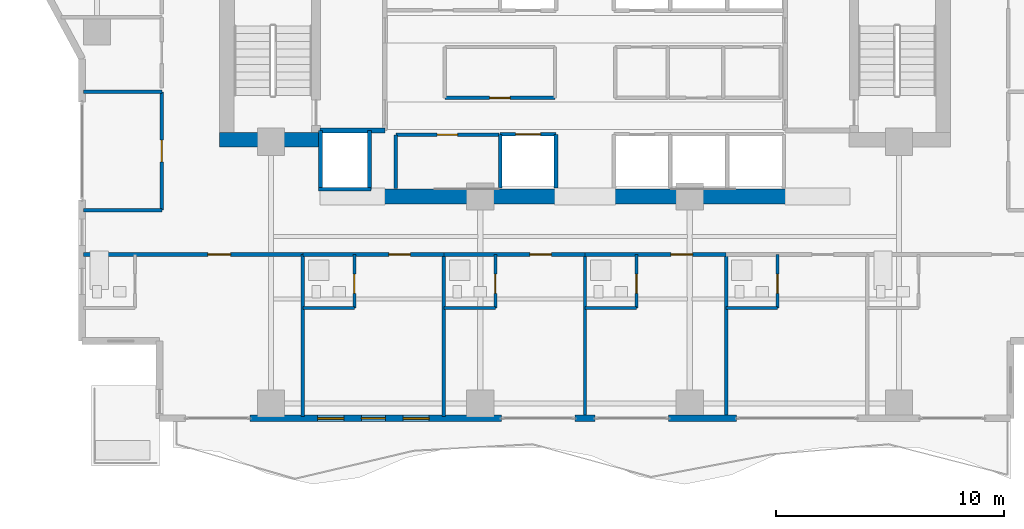
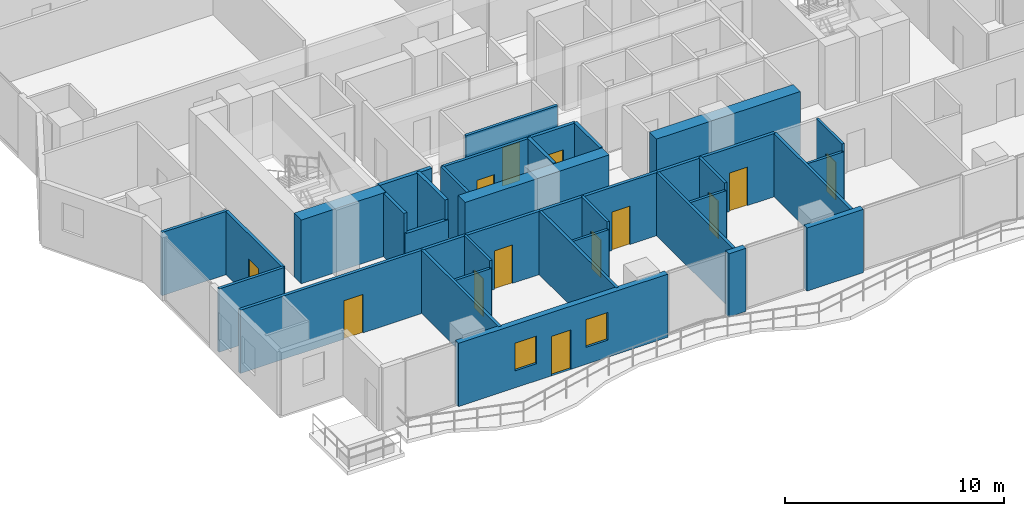
# One storey, part 24 of 32: 35 walls, 13 doors, 2 windows, 15 openings.
"""IFC4 building model written with IfcOpenShell, lengths in metres."""

from ifc_helpers import new_model, si_unit, direction, frame, frame_2d, origin, place, context, subcontext, project, spatial, rectangle, extrude, material, layer, layer_set, type_object, element, fill, save


model = new_model("IFC4")

# Units and contexts
model_context = context("Model", 3, precision=1e-05, world=origin(), true_north=direction((0.0, 1.0)))
body_context = subcontext(model_context, "Body", "Model", "MODEL_VIEW")
ifc_project = project(units=[si_unit("LENGTHUNIT", "METRE"), si_unit("AREAUNIT", "SQUARE_METRE"), si_unit("VOLUMEUNIT", "CUBIC_METRE"), si_unit("PLANEANGLEUNIT", "RADIAN"), si_unit("MASSUNIT", "GRAM", prefix="KILO")], contexts=[model_context])

# Site, building, storey
site_placement = place(None, origin())
site = spatial("IfcSite", under=ifc_project, at=site_placement, CompositionType="ELEMENT")
building_placement = place(site_placement, origin())
building = spatial("IfcBuilding", under=site, at=building_placement, Name="Zuhayl Quay Hotel", CompositionType="ELEMENT")
storey_placement = place(building_placement, frame((0.0, 0.0, 192.39990234375)))
storey = spatial("IfcBuildingStorey", under=building, at=storey_placement, Name="L48", CompositionType="ELEMENT", Elevation=192.39990234375)

# Walls
ifc_material_1 = material(Name="Concrete C50/60", Category="concrete")
ifc_layer_1 = layer(ifc_material_1, 0.64990234375, Name="Concrete C50/60", Category="concrete")
ifc_layer_set_1 = layer_set([ifc_layer_1], Name="Concrete C50/60")
wall_type_1 = type_object("IfcWallType", Name="WL_CORE_650", PredefinedType="SHEAR", material=ifc_layer_set_1)
wall_1_placement = place(storey_placement, frame((-16.06005859375, 4.64501953125, 0.0), z_axis=(0.0, 0.0, 1.0), x_axis=(1.0, 0.0, 0.0)))
element("IfcWall", 1, at=wall_1_placement, inside=storey, type_object=wall_type_1, Name="L48 Core Shear Wall CW_SW", PredefinedType="SHEAR", context=body_context, shape_type="SweptSolid", body=[
    extrude(rectangle(XDim=4.4599609375, YDim=0.64990234375, at=frame_2d((2.22998046875, 0.0))), origin(), (0.0, 0.0, 1.0), 3.56005859375),
])
for number, where, z_axis, x_axis, name in (
    (2, (-8.85009765625, 2.14990234375, 0.0), (0.0, 0.0, 1.0), (1.0, 0.0, 0.0), "L48 Core Shear Wall CW_SC_W"),
    (3, (1.25, 2.14990234375, 0.0), (0.0, 0.0, 1.0), (1.0, 0.0, 0.0), "L48 Core Shear Wall CW_SC_E"),
):
    element("IfcWall", number, at=place(storey_placement, frame(where, z_axis=z_axis, x_axis=x_axis)), inside=storey, type_object=wall_type_1, Name=name, PredefinedType="SHEAR", context=body_context, shape_type="SweptSolid", body=[
        extrude(rectangle(XDim=7.60009765625, YDim=0.64990234375, at=frame_2d((3.800048828125, 0.0))), origin(), (0.0, 0.0, 1.0), 3.530029296875),
    ])
ifc_material_2 = material(Name="Precast concrete C45/55", Category="concrete")
ifc_layer_2 = layer(ifc_material_2, 0.300048828125, Name="Precast concrete C45/55", Category="concrete")
ifc_layer_set_2 = layer_set([ifc_layer_2], Name="Precast concrete C45/55")
wall_type_2 = type_object("IfcWallType", Name="WL_EXT_300", PredefinedType="STANDARD", material=ifc_layer_set_2)
wall_2_placement = place(storey_placement, frame((6.64990234375, -7.60009765625, 0.0), z_axis=(0.0, 0.0, 1.0), x_axis=(-1.0, 0.0, 0.0)))
element("IfcWall", 4, at=wall_2_placement, inside=storey, type_object=wall_type_2, Name="L48 Exterior Precast Wall ENV_L48_S_EW3", PredefinedType="STANDARD", context=body_context, shape_type="SweptSolid", body=[
    extrude(rectangle(XDim=2.969970703125, YDim=0.300048828125, at=frame_2d((1.48486328125, 0.0))), origin(), (0.0, 0.0, 1.0), 3.530029296875),
])
wall_3_placement = place(storey_placement, frame((0.449951171875, -7.60009765625, 0.0), z_axis=(0.0, 0.0, 1.0), x_axis=(-1.0, 0.0, 0.0)))
element("IfcWall", 5, at=wall_3_placement, inside=storey, type_object=wall_type_2, Name="L48 Exterior Precast Wall ENV_L48_S_EW4", PredefinedType="STANDARD", context=body_context, shape_type="SweptSolid", body=[
    extrude(rectangle(XDim=0.89990234375, YDim=0.300048828125, at=frame_2d((0.449951171875, 0.0))), origin(), (0.0, 0.0, 1.0), 3.530029296875),
])

# Wall, openings, door, windows
wall_4_placement = place(storey_placement, frame((-3.679931640625, -7.60009765625, 0.0), z_axis=(0.0, 0.0, 1.0), x_axis=(-1.0, 0.0, 0.0)))
wall_4 = element("IfcWall", 6, at=wall_4_placement, inside=storey, type_object=wall_type_2, Name="L48 Exterior Precast Wall ENV_L48_S_EW5", PredefinedType="STANDARD", context=body_context, shape_type="SweptSolid", body=[
    extrude(rectangle(XDim=11.0400390625, YDim=0.300048828125, at=frame_2d((5.52001953125, 0.0))), origin(), (0.0, 0.0, 1.0), 3.530029296875),
])
opening_1_placement = place(wall_4_placement, frame((5.094970703125, 0.0, 0.0)))
opening_1 = element("IfcOpeningElement", 7, at=opening_1_placement, cuts=wall_4, Name="Opening DG1", PredefinedType="OPENING", context=body_context, shape_type="SweptSolid", body=[
    extrude(rectangle(XDim=1.050048828125, YDim=2.199951171875, at=frame_2d((0.52490234375, 1.10009765625))), frame((0.0, 0.159912109375, 0.0), z_axis=(0.0, -1.0, 0.0), x_axis=(1.0, 0.0, 0.0)), (0.0, 0.0, 1.0), 0.320068359375),
])
opening_2_placement = place(wall_4_placement, frame((3.16748046875, 0.0, 0.949951171875)))
opening_2 = element("IfcOpeningElement", 8, at=opening_2_placement, cuts=wall_4, Name="Opening W01N", PredefinedType="OPENING", context=body_context, shape_type="SweptSolid", body=[
    extrude(rectangle(XDim=1.14990234375, YDim=1.550048828125, at=frame_2d((0.574951171875, 0.77490234375))), frame((0.0, 0.159912109375, 0.0), z_axis=(0.0, -1.0, 0.0), x_axis=(1.0, 0.0, 0.0)), (0.0, 0.0, 1.0), 0.320068359375),
])
opening_3_placement = place(wall_4_placement, frame((6.922607421875, 0.0, 0.949951171875)))
opening_3 = element("IfcOpeningElement", 9, at=opening_3_placement, cuts=wall_4, Name="Opening W01N", PredefinedType="OPENING", context=body_context, shape_type="SweptSolid", body=[
    extrude(rectangle(XDim=1.14990234375, YDim=1.550048828125, at=frame_2d((0.574951171875, 0.77490234375))), frame((0.0, 0.159912109375, 0.0), z_axis=(0.0, -1.0, 0.0), x_axis=(1.0, 0.0, 0.0)), (0.0, 0.0, 1.0), 0.320068359375),
])
ifc_material_3 = material(Name="Anodised Aluminium and Dark Solar Glass", Category="aluminium")
door_type_1 = type_object("IfcDoorType", Name="DR_EXT_TERR_1050", OperationType="NOTDEFINED", PredefinedType="DOOR", material=ifc_material_3)
door_1_placement = place(opening_1_placement, origin())
door_1 = element("IfcDoor", 10, at=door_1_placement, inside=storey, type_object=door_type_1, Name="L48 South Rippling Balcony Door", OperationType="SINGLE_SWING_RIGHT", OverallHeight=2.199951171875, OverallWidth=1.050048828125, PredefinedType="DOOR", context=body_context, shape_type="SweptSolid", body=[
    extrude(rectangle(XDim=1.050048828125, YDim=2.199951171875, at=frame_2d((0.52490234375, 1.10009765625))), frame((0.0, 0.02490234375, 0.0), z_axis=(0.0, -1.0, 0.0), x_axis=(1.0, 0.0, 0.0)), (0.0, 0.0, 1.0), 0.050048828125),
])
fill(opening_1, door_1)
ifc_material_4 = material(Name="Dark Ceramic-Fritted Solar Glass", Category="glass")
window_type = type_object("IfcWindowType", Name="WN_NOTCH_1350", PartitioningType="SINGLE_PANEL", PredefinedType="WINDOW", material=ifc_material_4)
window_1_placement = place(opening_2_placement, origin())
window_1 = element("IfcWindow", 11, at=window_1_placement, inside=storey, type_object=window_type, Name="L48 Operable Facade Window 5-1", OverallHeight=1.550048828125, OverallWidth=1.14990234375, PartitioningType="SINGLE_PANEL", PredefinedType="WINDOW", context=body_context, shape_type="SweptSolid", body=[
    extrude(rectangle(XDim=1.14990234375, YDim=1.550048828125, at=frame_2d((0.574951171875, 0.77490234375))), frame((0.0, 0.030029296875, 0.0), z_axis=(0.0, -1.0, 0.0), x_axis=(1.0, 0.0, 0.0)), (0.0, 0.0, 1.0), 0.06005859375),
])
fill(opening_2, window_1)
window_2_placement = place(opening_3_placement, origin())
window_2 = element("IfcWindow", 12, at=window_2_placement, inside=storey, type_object=window_type, Name="L48 Operable Facade Window 5-2", OverallHeight=1.550048828125, OverallWidth=1.14990234375, PartitioningType="SINGLE_PANEL", PredefinedType="WINDOW", context=body_context, shape_type="SweptSolid", body=[
    extrude(rectangle(XDim=1.14990234375, YDim=1.550048828125, at=frame_2d((0.574951171875, 0.77490234375))), frame((0.0, 0.030029296875, 0.0), z_axis=(0.0, -1.0, 0.0), x_axis=(1.0, 0.0, 0.0)), (0.0, 0.0, 1.0), 0.06005859375),
])
fill(opening_3, window_2)

# Wall, opening, door
ifc_material_5 = material(Name="Acoustic Gypsum Partition STC-58")
ifc_layer_3 = layer(ifc_material_5, 0.14990234375, Name="Acoustic Gypsum Partition STC-58")
ifc_layer_set_3 = layer_set([ifc_layer_3], Name="Acoustic Gypsum Partition STC-58")
wall_type_3 = type_object("IfcWallType", Name="WL_PART_150", PredefinedType="PARTITIONING", material=ifc_layer_set_3)
wall_5_placement = place(storey_placement, frame((-8.31005859375, 4.860107421875, 0.0), z_axis=(0.0, 0.0, 1.0), x_axis=(1.0, 0.0, 0.0)))
wall_5 = element("IfcWall", 13, at=wall_5_placement, inside=storey, type_object=wall_type_3, Name="L48 Partition IW_L48_FLP_S_N", PredefinedType="PARTITIONING", context=body_context, shape_type="SweptSolid", body=[
    extrude(rectangle(XDim=4.52001953125, YDim=0.14990234375, at=frame_2d((2.260009765625, 0.0))), origin(), (0.0, 0.0, 1.0), 3.530029296875),
])
opening_4_placement = place(wall_5_placement, frame((1.81005859375, 0.0, 0.0)))
opening_4 = element("IfcOpeningElement", 14, at=opening_4_placement, cuts=wall_5, Name="Opening D06", PredefinedType="OPENING", context=body_context, shape_type="SweptSolid", body=[
    extrude(rectangle(XDim=0.89990234375, YDim=2.14990234375, at=frame_2d((0.449951171875, 1.074951171875))), frame((0.0, 0.0849609375, 0.0), z_axis=(0.0, -1.0, 0.0), x_axis=(1.0, 0.0, 0.0)), (0.0, 0.0, 1.0), 0.169921875),
])
ifc_material_6 = material(Name="Steel ASTM A992 Grade 50", Category="steel")
door_type_2 = type_object("IfcDoorType", Name="DR_INT_900", OperationType="NOTDEFINED", PredefinedType="DOOR", material=ifc_material_6)
door_2_placement = place(opening_4_placement, origin())
door_2 = element("IfcDoor", 15, at=door_2_placement, inside=storey, type_object=door_type_2, Name="L48 Tea Pantry West Door", OperationType="SINGLE_SWING_LEFT", OverallHeight=2.14990234375, OverallWidth=0.89990234375, PredefinedType="DOOR", context=body_context, shape_type="SweptSolid", body=[
    extrude(rectangle(XDim=0.89990234375, YDim=2.14990234375, at=frame_2d((0.449951171875, 1.074951171875))), frame((0.0, 0.02490234375, 0.0), z_axis=(0.0, -1.0, 0.0), x_axis=(1.0, 0.0, 0.0)), (0.0, 0.0, 1.0), 0.050048828125),
])
fill(opening_4, door_2)

wall_6_placement = place(storey_placement, frame((-6.159912109375, 6.47998046875, 0.0), z_axis=(0.0, 0.0, 1.0), x_axis=(1.0, 0.0, 0.0)))
wall_6 = element("IfcWall", 16, at=wall_6_placement, inside=storey, type_object=wall_type_3, Name="L48 Partition IW_L48_CORE_SV_S", PredefinedType="PARTITIONING", context=body_context, shape_type="SweptSolid", body=[
    extrude(rectangle(XDim=4.83984375, YDim=0.14990234375, at=frame_2d((2.419921875, 0.0))), origin(), (0.0, 0.0, 1.0), 3.530029296875),
])
opening_5_placement = place(wall_6_placement, frame((1.969970703125, 0.0, 0.0)))
opening_5 = element("IfcOpeningElement", 17, at=opening_5_placement, cuts=wall_6, Name="Opening D06", PredefinedType="OPENING", context=body_context, shape_type="SweptSolid", body=[
    extrude(rectangle(XDim=0.89990234375, YDim=2.14990234375, at=frame_2d((0.449951171875, 1.074951171875))), frame((0.0, 0.0849609375, 0.0), z_axis=(0.0, -1.0, 0.0), x_axis=(1.0, 0.0, 0.0)), (0.0, 0.0, 1.0), 0.169921875),
])
door_3_placement = place(opening_5_placement, origin())
door_3 = element("IfcDoor", 18, at=door_3_placement, inside=storey, type_object=door_type_2, Name="L48 Core Ice and Linen Store Door", OperationType="SINGLE_SWING_LEFT", OverallHeight=2.14990234375, OverallWidth=0.89990234375, PredefinedType="DOOR", context=body_context, shape_type="SweptSolid", body=[
    extrude(rectangle(XDim=0.89990234375, YDim=2.14990234375, at=frame_2d((0.449951171875, 1.074951171875))), frame((0.0, 0.02490234375, 0.0), z_axis=(0.0, -1.0, 0.0), x_axis=(1.0, 0.0, 0.0)), (0.0, 0.0, 1.0), 0.050048828125),
])
fill(opening_5, door_3)

# Walls
wall_7_placement = place(storey_placement, frame((-8.31005859375, 2.489990234375, 0.0), z_axis=(0.0, 0.0, 1.0), x_axis=(0.0, 1.0, 0.0)))
element("IfcWall", 19, at=wall_7_placement, inside=storey, type_object=wall_type_3, Name="L48 Partition IW_L48_FLP_S_W", PredefinedType="PARTITIONING", context=body_context, shape_type="SweptSolid", body=[
    extrude(rectangle(XDim=2.3701171875, YDim=0.14990234375, at=frame_2d((1.18505859375, 0.0))), origin(), (0.0, 0.0, 1.0), 3.530029296875),
])
for number, where, z_axis, x_axis, name in (
    (20, (-12.39990234375, -7.52001953125, 0.0), (0.0, 0.0, 1.0), (0.0, 1.0, 0.0), "L48 Partition IW_L48_SU01_E"),
    (21, (-6.199951171875, -7.52001953125, 0.0), (0.0, 0.0, 1.0), (0.0, 1.0, 0.0), "L48 Partition IW_L48_SU02_E"),
    (22, (0.0, -7.52001953125, 0.0), (0.0, 0.0, 1.0), (0.0, 1.0, 0.0), "L48 Partition IW_L48_SU03_E"),
    (23, (6.199951171875, -7.52001953125, 0.0), (0.0, 0.0, 1.0), (0.0, 1.0, 0.0), "L48 Partition IW_L48_SU04_E"),
):
    element("IfcWall", number, at=place(storey_placement, frame(where, z_axis=z_axis, x_axis=x_axis)), inside=storey, type_object=wall_type_3, Name=name, PredefinedType="PARTITIONING", context=body_context, shape_type="SweptSolid", body=[
        extrude(rectangle(XDim=7.1201171875, YDim=0.14990234375, at=frame_2d((3.56005859375, 0.0))), origin(), (0.0, 0.0, 1.0), 3.530029296875),
    ])
for number, where, z_axis, x_axis, name in (
    (24, (-22.0400390625, 1.550048828125, 0.0), (0.0, 0.0, 1.0), (1.0, 0.0, 0.0), "L48 Partition IW_L48_WPROW_1_S"),
    (25, (-22.0400390625, 6.75, 0.0), (0.0, 0.0, 1.0), (1.0, 0.0, 0.0), "L48 Partition IW_L48_WPROW_1_N"),
):
    element("IfcWall", number, at=place(storey_placement, frame(where, z_axis=z_axis, x_axis=x_axis)), inside=storey, type_object=wall_type_3, Name=name, PredefinedType="PARTITIONING", context=body_context, shape_type="SweptSolid", body=[
        extrude(rectangle(XDim=3.43994140625, YDim=0.14990234375, at=frame_2d((1.719970703125, 0.0))), origin(), (0.0, 0.0, 1.0), 3.530029296875),
    ])

# Wall, opening, door
ifc_layer_4 = layer(ifc_material_5, 0.159912109375, Name="Acoustic Gypsum Partition STC-58")
ifc_layer_set_4 = layer_set([ifc_layer_4], Name="Acoustic Gypsum Partition STC-58")
wall_type_4 = type_object("IfcWallType", Name="WL_PART_CORR_160", PredefinedType="PARTITIONING", material=ifc_layer_set_4)
wall_8_placement = place(storey_placement, frame((-22.0400390625, -0.39990234375, 0.0), z_axis=(0.0, 0.0, 1.0), x_axis=(1.0, 0.0, 0.0)))
wall_8 = element("IfcWall", 26, at=wall_8_placement, inside=storey, type_object=wall_type_4, Name="L48 Partition IW_L48_SU01_COR", PredefinedType="PARTITIONING", context=body_context, shape_type="SweptSolid", body=[
    extrude(rectangle(XDim=9.64013671875, YDim=0.159912109375, at=frame_2d((4.820068359375, 0.0))), origin(), (0.0, 0.0, 1.0), 3.530029296875),
])
opening_6_placement = place(wall_8_placement, frame((5.469970703125, 0.0, 0.0)))
opening_6 = element("IfcOpeningElement", 27, at=opening_6_placement, cuts=wall_8, Name="Opening D03L", PredefinedType="OPENING", context=body_context, shape_type="SweptSolid", body=[
    extrude(rectangle(XDim=1.0, YDim=2.14990234375, at=frame_2d((0.5, 1.074951171875))), frame((0.0, 0.08984375, 0.0), z_axis=(0.0, -1.0, 0.0), x_axis=(1.0, 0.0, 0.0)), (0.0, 0.0, 1.0), 0.179931640625),
])
ifc_material_7 = material(Name="Solid Walnut Acoustic Fire Door")
door_type_3 = type_object("IfcDoorType", Name="DR_SUITE_1000", OperationType="NOTDEFINED", PredefinedType="DOOR", material=ifc_material_7)
door_4_placement = place(opening_6_placement, origin())
door_4 = element("IfcDoor", 28, at=door_4_placement, inside=storey, type_object=door_type_3, Name="L48 Premier Twin Guest Room L48-01 Entrance Door", OperationType="SINGLE_SWING_LEFT", OverallHeight=2.14990234375, OverallWidth=1.0, PredefinedType="DOOR", context=body_context, shape_type="SweptSolid", body=[
    extrude(rectangle(XDim=1.0, YDim=2.14990234375, at=frame_2d((0.5, 1.074951171875))), frame((0.0, 0.02490234375, 0.0), z_axis=(0.0, -1.0, 0.0), x_axis=(1.0, 0.0, 0.0)), (0.0, 0.0, 1.0), 0.050048828125),
])
fill(opening_6, door_4)

wall_9_placement = place(storey_placement, frame((-12.39990234375, -0.39990234375, 0.0), z_axis=(0.0, 0.0, 1.0), x_axis=(1.0, 0.0, 0.0)))
wall_9 = element("IfcWall", 29, at=wall_9_placement, inside=storey, type_object=wall_type_4, Name="L48 Partition IW_L48_SU02_COR", PredefinedType="PARTITIONING", context=body_context, shape_type="SweptSolid", body=[
    extrude(rectangle(XDim=6.199951171875, YDim=0.159912109375, at=frame_2d((3.10009765625, 0.0))), origin(), (0.0, 0.0, 1.0), 3.530029296875),
])
opening_7_placement = place(wall_9_placement, frame((3.77490234375, 0.0, 0.0)))
opening_7 = element("IfcOpeningElement", 30, at=opening_7_placement, cuts=wall_9, Name="Opening D03", PredefinedType="OPENING", context=body_context, shape_type="SweptSolid", body=[
    extrude(rectangle(XDim=0.949951171875, YDim=2.14990234375, at=frame_2d((0.47509765625, 1.074951171875))), frame((0.0, 0.08984375, 0.0), z_axis=(0.0, -1.0, 0.0), x_axis=(1.0, 0.0, 0.0)), (0.0, 0.0, 1.0), 0.179931640625),
])
door_type_4 = type_object("IfcDoorType", Name="DR_SUITE_950", OperationType="NOTDEFINED", PredefinedType="DOOR", material=ifc_material_7)
door_5_placement = place(opening_7_placement, origin())
door_5 = element("IfcDoor", 31, at=door_5_placement, inside=storey, type_object=door_type_4, Name="L48 Premier Twin Guest Room L48-02 Entrance Door", OperationType="SINGLE_SWING_LEFT", OverallHeight=2.14990234375, OverallWidth=0.949951171875, PredefinedType="DOOR", context=body_context, shape_type="SweptSolid", body=[
    extrude(rectangle(XDim=0.949951171875, YDim=2.14990234375, at=frame_2d((0.47509765625, 1.074951171875))), frame((0.0, 0.02490234375, 0.0), z_axis=(0.0, -1.0, 0.0), x_axis=(1.0, 0.0, 0.0)), (0.0, 0.0, 1.0), 0.050048828125),
])
fill(opening_7, door_5)

wall_10_placement = place(storey_placement, frame((-6.199951171875, -0.39990234375, 0.0), z_axis=(0.0, 0.0, 1.0), x_axis=(1.0, 0.0, 0.0)))
wall_10 = element("IfcWall", 32, at=wall_10_placement, inside=storey, type_object=wall_type_4, Name="L48 Partition IW_L48_SU03_COR", PredefinedType="PARTITIONING", context=body_context, shape_type="SweptSolid", body=[
    extrude(rectangle(XDim=6.199951171875, YDim=0.159912109375, at=frame_2d((3.10009765625, 0.0))), origin(), (0.0, 0.0, 1.0), 3.530029296875),
])
opening_8_placement = place(wall_10_placement, frame((3.77490234375, 0.0, 0.0)))
opening_8 = element("IfcOpeningElement", 33, at=opening_8_placement, cuts=wall_10, Name="Opening D03", PredefinedType="OPENING", context=body_context, shape_type="SweptSolid", body=[
    extrude(rectangle(XDim=0.949951171875, YDim=2.14990234375, at=frame_2d((0.47509765625, 1.074951171875))), frame((0.0, 0.08984375, 0.0), z_axis=(0.0, -1.0, 0.0), x_axis=(1.0, 0.0, 0.0)), (0.0, 0.0, 1.0), 0.179931640625),
])
door_6_placement = place(opening_8_placement, origin())
door_6 = element("IfcDoor", 34, at=door_6_placement, inside=storey, type_object=door_type_4, Name="L48 Premier Twin Guest Room L48-03 Entrance Door", OperationType="SINGLE_SWING_LEFT", OverallHeight=2.14990234375, OverallWidth=0.949951171875, PredefinedType="DOOR", context=body_context, shape_type="SweptSolid", body=[
    extrude(rectangle(XDim=0.949951171875, YDim=2.14990234375, at=frame_2d((0.47509765625, 1.074951171875))), frame((0.0, 0.02490234375, 0.0), z_axis=(0.0, -1.0, 0.0), x_axis=(1.0, 0.0, 0.0)), (0.0, 0.0, 1.0), 0.050048828125),
])
fill(opening_8, door_6)

wall_11_placement = place(storey_placement, frame((0.0, -0.39990234375, 0.0), z_axis=(0.0, 0.0, 1.0), x_axis=(1.0, 0.0, 0.0)))
wall_11 = element("IfcWall", 35, at=wall_11_placement, inside=storey, type_object=wall_type_4, Name="L48 Partition IW_L48_SU04_COR", PredefinedType="PARTITIONING", context=body_context, shape_type="SweptSolid", body=[
    extrude(rectangle(XDim=6.199951171875, YDim=0.159912109375, at=frame_2d((3.10009765625, 0.0))), origin(), (0.0, 0.0, 1.0), 3.530029296875),
])
opening_9_placement = place(wall_11_placement, frame((3.77490234375, 0.0, 0.0)))
opening_9 = element("IfcOpeningElement", 36, at=opening_9_placement, cuts=wall_11, Name="Opening D03", PredefinedType="OPENING", context=body_context, shape_type="SweptSolid", body=[
    extrude(rectangle(XDim=0.949951171875, YDim=2.14990234375, at=frame_2d((0.47509765625, 1.074951171875))), frame((0.0, 0.08984375, 0.0), z_axis=(0.0, -1.0, 0.0), x_axis=(1.0, 0.0, 0.0)), (0.0, 0.0, 1.0), 0.179931640625),
])
door_7_placement = place(opening_9_placement, origin())
door_7 = element("IfcDoor", 37, at=door_7_placement, inside=storey, type_object=door_type_4, Name="L48 Premier Twin Guest Room L48-04 Entrance Door", OperationType="SINGLE_SWING_LEFT", OverallHeight=2.14990234375, OverallWidth=0.949951171875, PredefinedType="DOOR", context=body_context, shape_type="SweptSolid", body=[
    extrude(rectangle(XDim=0.949951171875, YDim=2.14990234375, at=frame_2d((0.47509765625, 1.074951171875))), frame((0.0, 0.02490234375, 0.0), z_axis=(0.0, -1.0, 0.0), x_axis=(1.0, 0.0, 0.0)), (0.0, 0.0, 1.0), 0.050048828125),
])
fill(opening_9, door_7)

wall_12_placement = place(storey_placement, frame((-18.60009765625, 1.550048828125, 0.0), z_axis=(0.0, 0.0, 1.0), x_axis=(0.0, 1.0, 0.0)))
wall_12 = element("IfcWall", 38, at=wall_12_placement, inside=storey, type_object=wall_type_4, Name="L48 Partition IW_L48_WPROW_1_E", PredefinedType="PARTITIONING", context=body_context, shape_type="SweptSolid", body=[
    extrude(rectangle(XDim=5.199951171875, YDim=0.159912109375, at=frame_2d((2.60009765625, 0.0))), origin(), (0.0, 0.0, 1.0), 3.530029296875),
])
opening_10_placement = place(wall_12_placement, frame((2.125, 0.0, 0.0)))
opening_10 = element("IfcOpeningElement", 39, at=opening_10_placement, cuts=wall_12, Name="Opening D03", PredefinedType="OPENING", context=body_context, shape_type="SweptSolid", body=[
    extrude(rectangle(XDim=0.949951171875, YDim=2.14990234375, at=frame_2d((0.47509765625, 1.074951171875))), frame((0.0, 0.08984375, 0.0), z_axis=(0.0, -1.0, 0.0), x_axis=(1.0, 0.0, 0.0)), (0.0, 0.0, 1.0), 0.179931640625),
])
door_8_placement = place(opening_10_placement, origin())
door_8 = element("IfcDoor", 40, at=door_8_placement, inside=storey, type_object=door_type_4, Name="L48 West Prow Office L48 Door", OperationType="SINGLE_SWING_RIGHT", OverallHeight=2.14990234375, OverallWidth=0.949951171875, PredefinedType="DOOR", context=body_context, shape_type="SweptSolid", body=[
    extrude(rectangle(XDim=0.949951171875, YDim=2.14990234375, at=frame_2d((0.47509765625, 1.074951171875))), frame((0.0, 0.02490234375, 0.0), z_axis=(0.0, -1.0, 0.0), x_axis=(1.0, 0.0, 0.0)), (0.0, 0.0, 1.0), 0.050048828125),
])
fill(opening_10, door_8)

ifc_material_8 = material(Name="Moisture-Resistant Sanitarychase Gypsum")
ifc_layer_5 = layer(ifc_material_8, 0.135009765625, Name="Moisture-Resistant Sanitarychase Gypsum")
ifc_layer_set_5 = layer_set([ifc_layer_5], Name="Moisture-Resistant Sanitarychase Gypsum")
wall_type_5 = type_object("IfcWallType", Name="WL_PART_PLUMB_150", PredefinedType="PLUMBINGWALL", material=ifc_layer_set_5)
wall_13_placement = place(storey_placement, frame((-10.139892578125, -2.760009765625, 0.0), z_axis=(0.0, 0.0, 1.0), x_axis=(0.0, 1.0, 0.0)))
wall_13 = element("IfcWall", 41, at=wall_13_placement, inside=storey, type_object=wall_type_5, Name="L48 Partition IW_L48_SU02_BE", PredefinedType="PLUMBINGWALL", context=body_context, shape_type="SweptSolid", body=[
    extrude(rectangle(XDim=2.360107421875, YDim=0.135009765625, at=frame_2d((1.18017578125, 0.0))), origin(), (0.0, 0.0, 1.0), 3.530029296875),
])
opening_11_placement = place(wall_13_placement, frame((0.64990234375, 0.0, 0.0)))
opening_11 = element("IfcOpeningElement", 42, at=opening_11_placement, cuts=wall_13, Name="Opening D04", PredefinedType="OPENING", context=body_context, shape_type="SweptSolid", body=[
    extrude(rectangle(XDim=0.85009765625, YDim=2.10009765625, at=frame_2d((0.425048828125, 1.050048828125))), frame((0.0, 0.077392578125, 0.0), z_axis=(0.0, -1.0, 0.0), x_axis=(1.0, 0.0, 0.0)), (0.0, 0.0, 1.0), 0.155029296875),
])
ifc_material_9 = material(Name="Moisture-Resistant Walnut Veneer")
door_type_5 = type_object("IfcDoorType", Name="DR_BATH_850", OperationType="NOTDEFINED", PredefinedType="DOOR", material=ifc_material_9)
door_9_placement = place(opening_11_placement, origin())
door_9 = element("IfcDoor", 43, at=door_9_placement, inside=storey, type_object=door_type_5, Name="L48 Premier Twin Guest Room L48-02 En-Suite Door", OperationType="SINGLE_SWING_RIGHT", OverallHeight=2.10009765625, OverallWidth=0.85009765625, PredefinedType="DOOR", context=body_context, shape_type="SweptSolid", body=[
    extrude(rectangle(XDim=0.85009765625, YDim=2.10009765625, at=frame_2d((0.425048828125, 1.050048828125))), frame((0.0, 0.02490234375, 0.0), z_axis=(0.0, -1.0, 0.0), x_axis=(1.0, 0.0, 0.0)), (0.0, 0.0, 1.0), 0.050048828125),
])
fill(opening_11, door_9)

wall_14_placement = place(storey_placement, frame((-3.93994140625, -2.760009765625, 0.0), z_axis=(0.0, 0.0, 1.0), x_axis=(0.0, 1.0, 0.0)))
wall_14 = element("IfcWall", 44, at=wall_14_placement, inside=storey, type_object=wall_type_5, Name="L48 Partition IW_L48_SU03_BE", PredefinedType="PLUMBINGWALL", context=body_context, shape_type="SweptSolid", body=[
    extrude(rectangle(XDim=2.360107421875, YDim=0.135009765625, at=frame_2d((1.18017578125, 0.0))), origin(), (0.0, 0.0, 1.0), 3.530029296875),
])
opening_12_placement = place(wall_14_placement, frame((0.64990234375, 0.0, 0.0)))
opening_12 = element("IfcOpeningElement", 45, at=opening_12_placement, cuts=wall_14, Name="Opening D04", PredefinedType="OPENING", context=body_context, shape_type="SweptSolid", body=[
    extrude(rectangle(XDim=0.85009765625, YDim=2.10009765625, at=frame_2d((0.425048828125, 1.050048828125))), frame((0.0, 0.077392578125, 0.0), z_axis=(0.0, -1.0, 0.0), x_axis=(1.0, 0.0, 0.0)), (0.0, 0.0, 1.0), 0.155029296875),
])
door_10_placement = place(opening_12_placement, origin())
door_10 = element("IfcDoor", 46, at=door_10_placement, inside=storey, type_object=door_type_5, Name="L48 Premier Twin Guest Room L48-03 En-Suite Door", OperationType="SINGLE_SWING_RIGHT", OverallHeight=2.10009765625, OverallWidth=0.85009765625, PredefinedType="DOOR", context=body_context, shape_type="SweptSolid", body=[
    extrude(rectangle(XDim=0.85009765625, YDim=2.10009765625, at=frame_2d((0.425048828125, 1.050048828125))), frame((0.0, 0.02490234375, 0.0), z_axis=(0.0, -1.0, 0.0), x_axis=(1.0, 0.0, 0.0)), (0.0, 0.0, 1.0), 0.050048828125),
])
fill(opening_12, door_10)

wall_15_placement = place(storey_placement, frame((2.260009765625, -2.760009765625, 0.0), z_axis=(0.0, 0.0, 1.0), x_axis=(0.0, 1.0, 0.0)))
wall_15 = element("IfcWall", 47, at=wall_15_placement, inside=storey, type_object=wall_type_5, Name="L48 Partition IW_L48_SU04_BE", PredefinedType="PLUMBINGWALL", context=body_context, shape_type="SweptSolid", body=[
    extrude(rectangle(XDim=2.360107421875, YDim=0.135009765625, at=frame_2d((1.18017578125, 0.0))), origin(), (0.0, 0.0, 1.0), 3.530029296875),
])
opening_13_placement = place(wall_15_placement, frame((0.64990234375, 0.0, 0.0)))
opening_13 = element("IfcOpeningElement", 48, at=opening_13_placement, cuts=wall_15, Name="Opening D04", PredefinedType="OPENING", context=body_context, shape_type="SweptSolid", body=[
    extrude(rectangle(XDim=0.85009765625, YDim=2.10009765625, at=frame_2d((0.425048828125, 1.050048828125))), frame((0.0, 0.077392578125, 0.0), z_axis=(0.0, -1.0, 0.0), x_axis=(1.0, 0.0, 0.0)), (0.0, 0.0, 1.0), 0.155029296875),
])
door_11_placement = place(opening_13_placement, origin())
door_11 = element("IfcDoor", 49, at=door_11_placement, inside=storey, type_object=door_type_5, Name="L48 Premier Twin Guest Room L48-04 En-Suite Door", OperationType="SINGLE_SWING_RIGHT", OverallHeight=2.10009765625, OverallWidth=0.85009765625, PredefinedType="DOOR", context=body_context, shape_type="SweptSolid", body=[
    extrude(rectangle(XDim=0.85009765625, YDim=2.10009765625, at=frame_2d((0.425048828125, 1.050048828125))), frame((0.0, 0.02490234375, 0.0), z_axis=(0.0, -1.0, 0.0), x_axis=(1.0, 0.0, 0.0)), (0.0, 0.0, 1.0), 0.050048828125),
])
fill(opening_13, door_11)

wall_16_placement = place(storey_placement, frame((8.4599609375, -2.760009765625, 0.0), z_axis=(0.0, 0.0, 1.0), x_axis=(0.0, 1.0, 0.0)))
wall_16 = element("IfcWall", 50, at=wall_16_placement, inside=storey, type_object=wall_type_5, Name="L48 Partition IW_L48_SU05_BE", PredefinedType="PLUMBINGWALL", context=body_context, shape_type="SweptSolid", body=[
    extrude(rectangle(XDim=2.360107421875, YDim=0.135009765625, at=frame_2d((1.18017578125, 0.0))), origin(), (0.0, 0.0, 1.0), 3.530029296875),
])
opening_14_placement = place(wall_16_placement, frame((0.64990234375, 0.0, 0.0)))
opening_14 = element("IfcOpeningElement", 51, at=opening_14_placement, cuts=wall_16, Name="Opening D04", PredefinedType="OPENING", context=body_context, shape_type="SweptSolid", body=[
    extrude(rectangle(XDim=0.85009765625, YDim=2.10009765625, at=frame_2d((0.425048828125, 1.050048828125))), frame((0.0, 0.077392578125, 0.0), z_axis=(0.0, -1.0, 0.0), x_axis=(1.0, 0.0, 0.0)), (0.0, 0.0, 1.0), 0.155029296875),
])
door_12_placement = place(opening_14_placement, origin())
door_12 = element("IfcDoor", 52, at=door_12_placement, inside=storey, type_object=door_type_5, Name="L48 Premier Twin Guest Room L48-05 En-Suite Door", OperationType="SINGLE_SWING_RIGHT", OverallHeight=2.10009765625, OverallWidth=0.85009765625, PredefinedType="DOOR", context=body_context, shape_type="SweptSolid", body=[
    extrude(rectangle(XDim=0.85009765625, YDim=2.10009765625, at=frame_2d((0.425048828125, 1.050048828125))), frame((0.0, 0.02490234375, 0.0), z_axis=(0.0, -1.0, 0.0), x_axis=(1.0, 0.0, 0.0)), (0.0, 0.0, 1.0), 0.050048828125),
])
fill(opening_14, door_12)

# Walls
for number, where, z_axis, x_axis, name in (
    (53, (-12.39990234375, -2.760009765625, 0.0), (0.0, 0.0, 1.0), (1.0, 0.0, 0.0), "L48 Partition IW_L48_SU02_BS"),
    (54, (-6.199951171875, -2.760009765625, 0.0), (0.0, 0.0, 1.0), (1.0, 0.0, 0.0), "L48 Partition IW_L48_SU03_BS"),
    (55, (0.0, -2.760009765625, 0.0), (0.0, 0.0, 1.0), (1.0, 0.0, 0.0), "L48 Partition IW_L48_SU04_BS"),
    (56, (6.199951171875, -2.760009765625, 0.0), (0.0, 0.0, 1.0), (1.0, 0.0, 0.0), "L48 Partition IW_L48_SU05_BS"),
):
    element("IfcWall", number, at=place(storey_placement, frame(where, z_axis=z_axis, x_axis=x_axis)), inside=storey, type_object=wall_type_5, Name=name, PredefinedType="PLUMBINGWALL", context=body_context, shape_type="SweptSolid", body=[
        extrude(rectangle(XDim=2.260009765625, YDim=0.135009765625, at=frame_2d((1.1298828125, 0.0))), origin(), (0.0, 0.0, 1.0), 3.1240234375),
    ])

# Wall, opening, door
ifc_material_10 = material(Name="Gypsum Fireboard Assembly EI-90")
ifc_layer_6 = layer(ifc_material_10, 0.1650390625, Name="Gypsum Fireboard Assembly EI-90")
ifc_layer_set_6 = layer_set([ifc_layer_6], Name="Gypsum Fireboard Assembly EI-90")
wall_type_6 = type_object("IfcWallType", Name="WL_PART_SHAFT_160", PredefinedType="PARTITIONING", material=ifc_layer_set_6)
wall_17_placement = place(storey_placement, frame((-3.72998046875, 4.8798828125, 0.0), z_axis=(0.0, 0.0, 1.0), x_axis=(1.0, 0.0, 0.0)))
wall_17 = element("IfcWall", 57, at=wall_17_placement, inside=storey, type_object=wall_type_6, Name="L48 Partition IW_L48_SH_MP1_F", PredefinedType="PARTITIONING", context=body_context, shape_type="SweptSolid", body=[
    extrude(rectangle(XDim=2.4599609375, YDim=0.1650390625, at=frame_2d((1.22998046875, 0.0))), origin(), (0.0, 0.0, 1.0), 3.530029296875),
])
opening_15_placement = place(wall_17_placement, frame((0.679931640625, 0.0, 0.0)))
opening_15 = element("IfcOpeningElement", 58, at=opening_15_placement, cuts=wall_17, Name="Opening LD1", PredefinedType="OPENING", context=body_context, shape_type="SweptSolid", body=[
    extrude(rectangle(XDim=1.10009765625, YDim=2.25, at=frame_2d((0.550048828125, 1.125))), frame((0.0, 0.092529296875, 0.0), z_axis=(0.0, -1.0, 0.0), x_axis=(1.0, 0.0, 0.0)), (0.0, 0.0, 1.0), 0.18505859375),
])
ifc_material_11 = material(Name="Brushed Stainless Steel", Category="steel")
door_type_6 = type_object("IfcDoorType", Name="DR_LIFT_PASS_1100", OperationType="SLIDING_TO_LEFT", PredefinedType="DOOR", material=ifc_material_11)
door_13_placement = place(opening_15_placement, origin())
door_13 = element("IfcDoor", 59, at=door_13_placement, inside=storey, type_object=door_type_6, Name="L48 Lift MP1 Sliding Landing Door", OperationType="SLIDING_TO_LEFT", OverallHeight=2.25, OverallWidth=1.10009765625, PredefinedType="DOOR", context=body_context, shape_type="SweptSolid", body=[
    extrude(rectangle(XDim=1.10009765625, YDim=2.25, at=frame_2d((0.550048828125, 1.125))), frame((0.0, 0.02490234375, 0.0), z_axis=(0.0, -1.0, 0.0), x_axis=(1.0, 0.0, 0.0)), (0.0, 0.0, 1.0), 0.050048828125),
])
fill(opening_15, door_13)

# Walls
for number, where, z_axis, x_axis, name in (
    (60, (-3.72998046875, 2.52001953125, 0.0), (0.0, 0.0, 1.0), (0.0, 1.0, 0.0), "L48 Partition IW_L48_SH_MP1_W"),
    (61, (-1.27001953125, 2.52001953125, 0.0), (0.0, 0.0, 1.0), (0.0, 1.0, 0.0), "L48 Partition IW_L48_SH_MP1_E"),
):
    element("IfcWall", number, at=place(storey_placement, frame(where, z_axis=z_axis, x_axis=x_axis)), inside=storey, type_object=wall_type_6, Name=name, PredefinedType="PARTITIONING", context=body_context, shape_type="SweptSolid", body=[
        extrude(rectangle(XDim=2.35986328125, YDim=0.1650390625, at=frame_2d((1.179931640625, 0.0))), origin(), (0.0, 0.0, 1.0), 3.530029296875),
    ])
wall_18_placement = place(storey_placement, frame((-11.6298828125, 2.469970703125, 0.0), z_axis=(0.0, 0.0, 1.0), x_axis=(0.0, 1.0, 0.0)))
element("IfcWall", 62, at=wall_18_placement, inside=storey, type_object=wall_type_6, Name="L48 Partition IW_L48_RISER_W", PredefinedType="PARTITIONING", context=body_context, shape_type="SweptSolid", body=[
    extrude(rectangle(XDim=2.580078125, YDim=0.1650390625, at=frame_2d((1.2900390625, 0.0))), origin(), (0.0, 0.0, 1.0), 3.530029296875),
])
wall_19_placement = place(storey_placement, frame((-11.7099609375, 2.469970703125, 0.0), z_axis=(0.0, 0.0, 1.0), x_axis=(1.0, 0.0, 0.0)))
element("IfcWall", 63, at=wall_19_placement, inside=storey, type_object=wall_type_6, Name="L48 Partition IW_L48_RISER_S", PredefinedType="PARTITIONING", context=body_context, shape_type="SweptSolid", body=[
    extrude(rectangle(XDim=2.31005859375, YDim=0.1650390625, at=frame_2d((1.155029296875, 0.0))), origin(), (0.0, 0.0, 1.0), 2.43017578125),
])
ifc_layer_7 = layer(ifc_material_10, 0.179931640625, Name="Gypsum Fireboard Assembly EI-90")
ifc_layer_set_7 = layer_set([ifc_layer_7], Name="Gypsum Fireboard Assembly EI-90")
wall_type_7 = type_object("IfcWallType", Name="WL_PART_SHAFT_180", PredefinedType="PARTITIONING", material=ifc_layer_set_7)
wall_20_placement = place(storey_placement, frame((-9.469970703125, 2.449951171875, 0.0), z_axis=(0.0, 0.0, 1.0), x_axis=(0.0, 1.0, 0.0)))
element("IfcWall", 64, at=wall_20_placement, inside=storey, type_object=wall_type_7, Name="L48 Partition IW_L48_RISER_E", PredefinedType="PARTITIONING", context=body_context, shape_type="SweptSolid", body=[
    extrude(rectangle(XDim=2.60009765625, YDim=0.179931640625, at=frame_2d((1.300048828125, 0.0))), origin(), (0.0, 0.0, 1.0), 3.530029296875),
])
ifc_material_12 = material(Name="Gypsum Fireboard Assembly EI-120")
ifc_layer_8 = layer(ifc_material_12, 0.199951171875, Name="Gypsum Fireboard Assembly EI-120")
ifc_layer_set_8 = layer_set([ifc_layer_8], Name="Gypsum Fireboard Assembly EI-120")
wall_type_8 = type_object("IfcWallType", Name="WL_PART_SHAFT_200", PredefinedType="PARTITIONING", material=ifc_layer_set_8)
wall_21_placement = place(storey_placement, frame((-11.64990234375, 5.050048828125, 0.0), z_axis=(0.0, 0.0, 1.0), x_axis=(1.0, 0.0, 0.0)))
element("IfcWall", 65, at=wall_21_placement, inside=storey, type_object=wall_type_8, Name="L48 Partition IW_L48_FSAE_W_S", PredefinedType="PARTITIONING", context=body_context, shape_type="SweptSolid", body=[
    extrude(rectangle(XDim=2.849853515625, YDim=0.199951171875, at=frame_2d((1.4248046875, 0.0))), origin(), (0.0, 0.0, 1.0), 3.530029296875),
])

save(model, "model.ifc")
